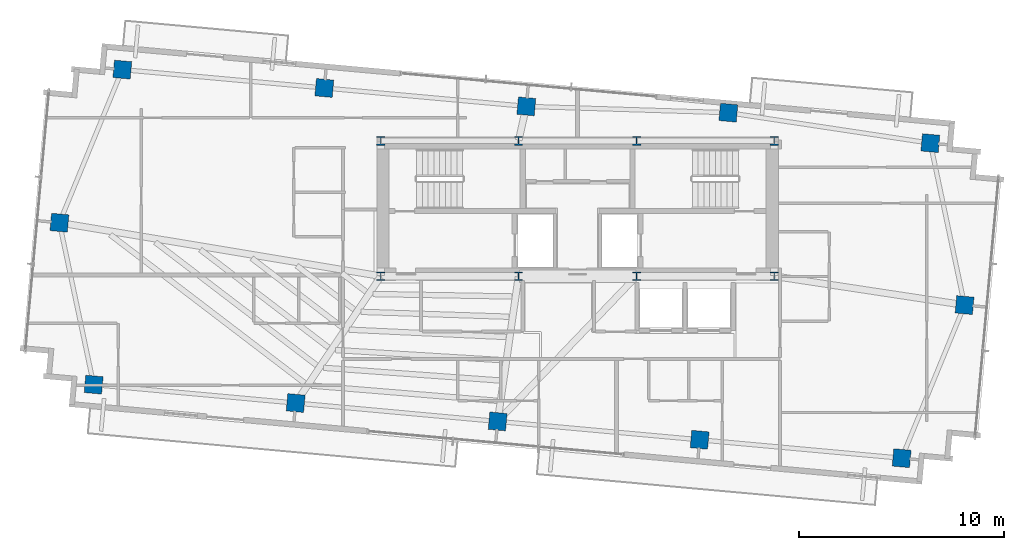
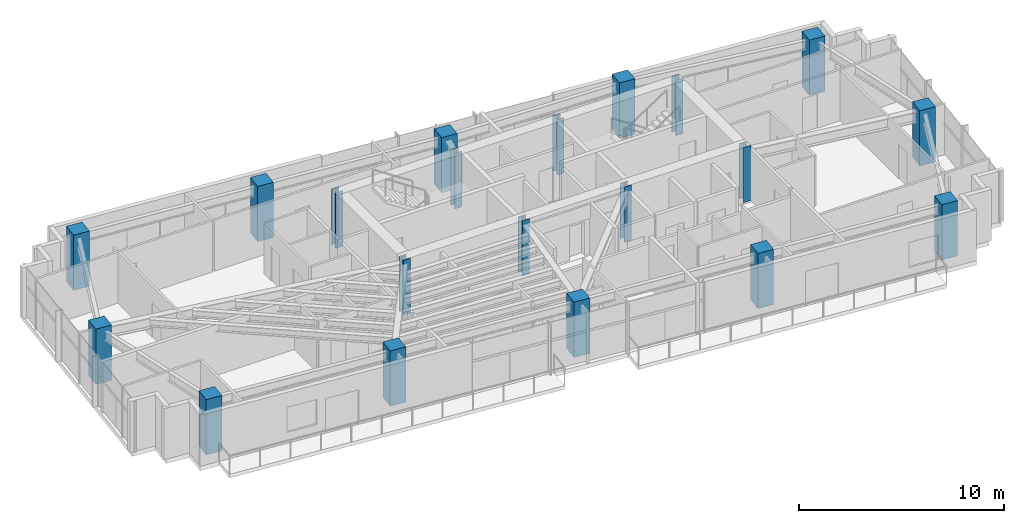
# One storey, part 1 of 22: 20 columns.
"""IFC4 building model written with IfcOpenShell, lengths in metres."""

from ifc_helpers import new_model, si_unit, direction, frame, origin, origin_2d, place, context, subcontext, project, spatial, rectangle, i_section, extrude, source, transform, mapped, material, material_profile, profile_set, type_object, type_shapes, element, save


model = new_model("IFC4")

# Units and contexts
model_context = context("Model", 3, precision=1e-05, world=origin(), true_north=direction((0.0, 1.0)))
body_context = subcontext(model_context, "Body", "Model", "MODEL_VIEW")
ifc_project = project(units=[si_unit("LENGTHUNIT", "METRE"), si_unit("AREAUNIT", "SQUARE_METRE"), si_unit("VOLUMEUNIT", "CUBIC_METRE"), si_unit("PLANEANGLEUNIT", "RADIAN"), si_unit("MASSUNIT", "GRAM", prefix="KILO")], contexts=[model_context])

# Site, building, storey
site_placement = place(None, origin())
site = spatial("IfcSite", under=ifc_project, at=site_placement, CompositionType="ELEMENT")
building_placement = place(site_placement, origin())
building = spatial("IfcBuilding", under=site, at=building_placement, Name="Astriad Promenade Condominiums", CompositionType="ELEMENT")
storey_placement = place(building_placement, frame((0.0, 0.0, 223.199951171875)))
storey = spatial("IfcBuildingStorey", under=building, at=storey_placement, Name="L64", CompositionType="ELEMENT", Elevation=223.199951171875)

# Columns
ifc_material_1 = material(Name="Steel ASTM A992 Grade 50", Category="steel")
ifc_material_profile_1 = material_profile(ifc_material_1, i_section(OverallWidth=0.4091796875, OverallDepth=0.42529296875, WebThickness=0.03271484375, FlangeThickness=0.052490234375, FilletRadius=0.017822265625, at=origin_2d()), Name="W14X283")
ifc_profile_set_1 = profile_set([ifc_material_profile_1], Name="Steel ASTM A992 Grade 50")
column_type_1 = type_object("IfcColumnType", Name="STEEL CORE PILASTER W14X283", PredefinedType="PILASTER", material=ifc_profile_set_1)
shared_shape_1 = source(origin(), body_context, "Body", "SweptSolid", [
    extrude(i_section(OverallWidth=0.4091796875, OverallDepth=0.42529296875, WebThickness=0.03271484375, FlangeThickness=0.052490234375, FilletRadius=0.017822265625, at=origin_2d()), origin(), (0.0, 0.0, 1.0), 3.296142578125),
])
type_shapes(column_type_1, [shared_shape_1])
for number, where, z_axis, x_axis, name in (
    (1, (26.39990234375, 17.39990234375, 0.001953125), (0.0, 0.0, 1.0), (1.0, 0.0, 0.0), "Core Pilaster Column CP1 (L64)"),
    (2, (33.1201171875, 17.39990234375, 0.001953125), (0.0, 0.0, 1.0), (1.0, 0.0, 0.0), "Core Pilaster Column CP2 (L64)"),
    (3, (38.8798828125, 17.39990234375, 0.001953125), (0.0, 0.0, 1.0), (1.0, 0.0, 0.0), "Core Pilaster Column CP3 (L64)"),
    (4, (45.60009765625, 17.39990234375, 0.001953125), (0.0, 0.0, 1.0), (1.0, 0.0, 0.0), "Core Pilaster Column CP4 (L64)"),
    (5, (26.39990234375, 24.0, 0.001953125), (0.0, 0.0, 1.0), (1.0, 0.0, 0.0), "Core Pilaster Column CP5 (L64)"),
    (6, (33.1201171875, 24.0, 0.001953125), (0.0, 0.0, 1.0), (1.0, 0.0, 0.0), "Core Pilaster Column CP6 (L64)"),
    (7, (38.8798828125, 24.0, 0.001953125), (0.0, 0.0, 1.0), (1.0, 0.0, 0.0), "Core Pilaster Column CP7 (L64)"),
    (8, (45.60009765625, 24.0, 0.001953125), (0.0, 0.0, 1.0), (1.0, 0.0, 0.0), "Core Pilaster Column CP8 (L64)"),
):
    element("IfcColumn", number, at=place(storey_placement, frame(where, z_axis=z_axis, x_axis=x_axis)), inside=storey, type_object=column_type_1, Name=name, PredefinedType="PILASTER", context=body_context, shape_type="MappedRepresentation", body=[
        mapped(shared_shape_1, transform((0.0, 0.0, 0.0), scale=1.0)),
    ])
ifc_material_2 = material(Name="Concrete C50/60", Category="concrete")
ifc_material_profile_2 = material_profile(ifc_material_2, rectangle(XDim=0.85009765625, YDim=0.85009765625, at=origin_2d()), Name="RC-COL-850X850")
ifc_profile_set_2 = profile_set([ifc_material_profile_2], Name="Concrete C50/60")
column_type_2 = type_object("IfcColumnType", Name="CONCRETE TOWER COLUMN 850X850", PredefinedType="COLUMN", material=ifc_profile_set_2)
shared_shape_2 = source(origin(), body_context, "Body", "SweptSolid", [
    extrude(rectangle(XDim=0.85009765625, YDim=0.85009765625, at=origin_2d()), origin(), (0.0, 0.0, 1.0), 3.296142578125),
])
type_shapes(column_type_2, [shared_shape_2])
for number, where, z_axis, x_axis, name in (
    (9, (12.3818359375, 12.106201171875, 0.001953125), (0.0, 0.0, 1.0), (0.995884398616, -0.090632580198, 0.0), "Perimeter Column PC01 (L64)"),
    (10, (22.2412109375, 11.208984375, 0.001953125), (0.0, 0.0, 1.0), (0.995884398616, -0.090632580198, 0.0), "Perimeter Column PC02 (L64)"),
    (11, (32.100341796875, 10.311767578125, 0.001953125), (0.0, 0.0, 1.0), (0.995884398616, -0.090632580198, 0.0), "Perimeter Column PC03 (L64)"),
    (12, (41.959716796875, 9.41455078125, 0.001953125), (0.0, 0.0, 1.0), (0.995884398616, -0.090632580198, 0.0), "Perimeter Column PC04 (L64)"),
    (13, (51.81884765625, 8.51708984375, 0.001953125), (0.0, 0.0, 1.0), (0.995884398616, -0.090632580198, 0.0), "Perimeter Column PC05 (L64)"),
    (14, (13.78125, 27.48291015625, 0.001953125), (0.0, 0.0, 1.0), (0.995884398616, -0.090632580198, 0.0), "Perimeter Column PC06 (L64)"),
    (15, (23.640380859375, 26.58544921875, 0.001953125), (0.0, 0.0, 1.0), (0.995884398616, -0.090632580198, 0.0), "Perimeter Column PC07 (L64)"),
    (16, (33.499755859375, 25.688232421875, 0.001953125), (0.0, 0.0, 1.0), (0.995884398616, -0.090632580198, 0.0), "Perimeter Column PC08 (L64)"),
    (17, (43.35888671875, 25.3798828125, 0.001953125), (0.0, 0.0, 1.0), (0.995884398616, -0.090632580198, 0.0), "Perimeter Column PC09 (L64)"),
    (18, (53.21826171875, 23.893798828125, 0.001953125), (0.0, 0.0, 1.0), (0.995884398616, -0.090632580198, 0.0), "Perimeter Column PC10 (L64)"),
    (19, (10.711181640625, 20.01025390625, 0.001953125), (0.0, 0.0, 1.0), (0.995884398616, -0.090632580198, 0.0), "Perimeter Column PC11 (L64)"),
    (20, (54.888671875, 15.98974609375, 0.001953125), (0.0, 0.0, 1.0), (0.995884398616, -0.090632580198, 0.0), "Perimeter Column PC12 (L64)"),
):
    element("IfcColumn", number, at=place(storey_placement, frame(where, z_axis=z_axis, x_axis=x_axis)), inside=storey, type_object=column_type_2, Name=name, PredefinedType="COLUMN", context=body_context, shape_type="MappedRepresentation", body=[
        mapped(shared_shape_2, transform((0.0, 0.0, 0.0), scale=1.0)),
    ])

save(model, "model.ifc")
